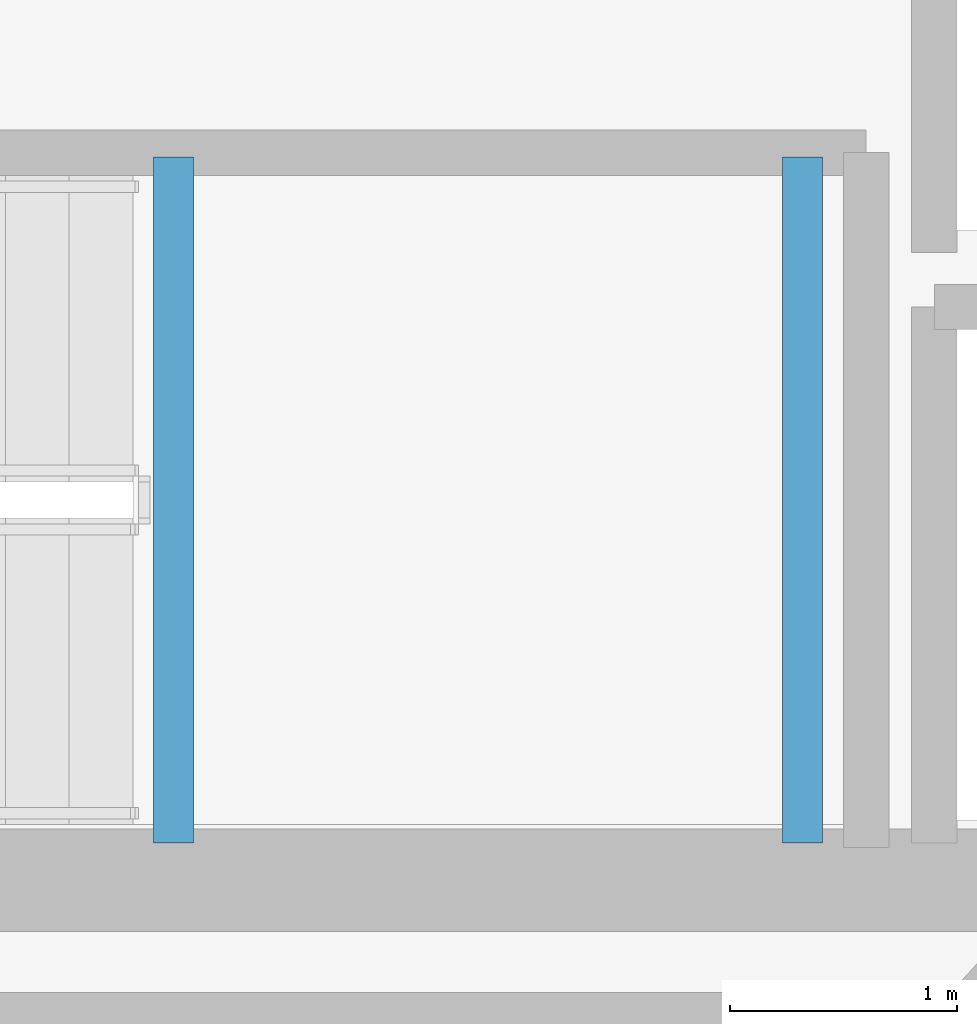
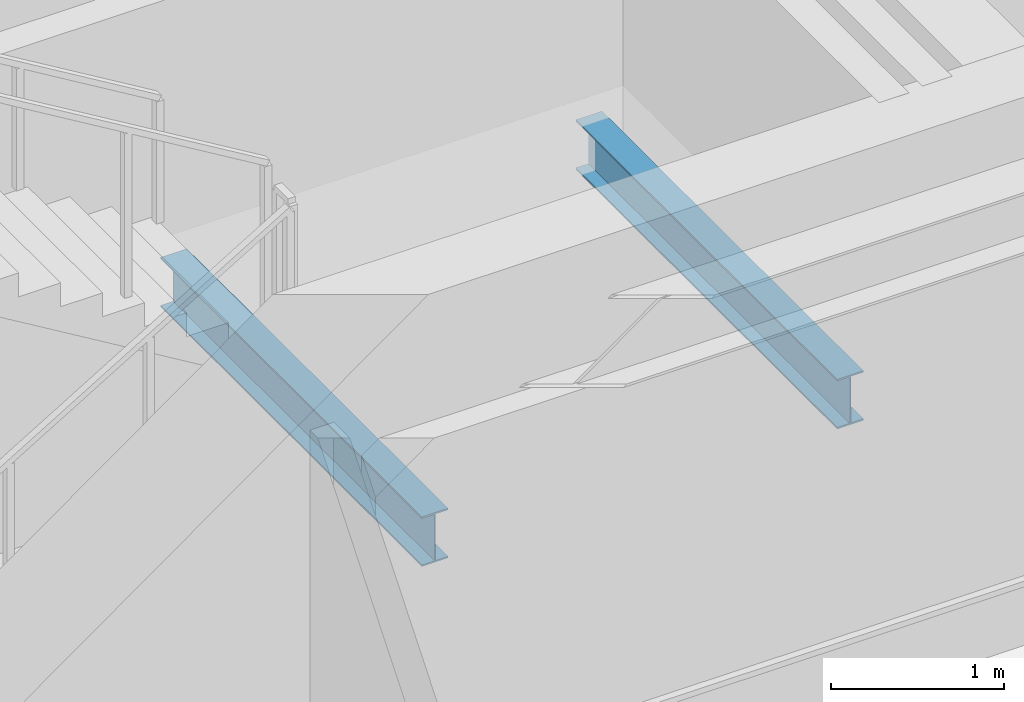
# One storey, part 13 of 25: 2 beams.
"""IFC4 building model written with IfcOpenShell, lengths in metres."""

from ifc_helpers import new_model, si_unit, direction, frame, origin, origin_2d, place, context, subcontext, project, spatial, i_section, extrude, material, material_profile, profile_set, type_object, element, save


model = new_model("IFC4")

# Units and contexts
model_context = context("Model", 3, precision=1e-05, world=origin(), true_north=direction((0.0, 1.0)))
body_context = subcontext(model_context, "Body", "Model", "MODEL_VIEW")
ifc_project = project(units=[si_unit("LENGTHUNIT", "METRE"), si_unit("AREAUNIT", "SQUARE_METRE"), si_unit("VOLUMEUNIT", "CUBIC_METRE"), si_unit("PLANEANGLEUNIT", "RADIAN"), si_unit("MASSUNIT", "GRAM", prefix="KILO")], contexts=[model_context])

# Site, building, storey
site_placement = place(None, origin())
site = spatial("IfcSite", under=ifc_project, at=site_placement, CompositionType="ELEMENT")
building_placement = place(site_placement, origin())
building = spatial("IfcBuilding", under=site, at=building_placement, Name="Qianvela Tower", CompositionType="ELEMENT")
storey_placement = place(building_placement, frame((0.0, 0.0, 288.0)))
storey = spatial("IfcBuildingStorey", under=building, at=storey_placement, Name="L74", CompositionType="ELEMENT", Elevation=288.0)

# Beams
ifc_material = material(Name="Steel Q355B", Category="steel")
ifc_material_profile = material_profile(ifc_material, i_section(OverallWidth=0.175048828125, OverallDepth=0.35009765625, WebThickness=0.007080078125, FlangeThickness=0.010986328125, at=origin_2d()), Name="HN350x175x7x11")
ifc_profile_set = profile_set([ifc_material_profile], Name="Steel Q355B")
beam_type = type_object("IfcBeamType", Name="BM-HN350-JOIST", PredefinedType="JOIST", material=ifc_profile_set)
for number, where, z_axis, x_axis, name in (
    (1, (34.39990234375, 24.919921875, 1.47509765625), (0.0, 1.0, 0.0), (-1.0, 0.0, 0.0), "L74 Stair ST-2 Landing Support Beam 1.1"),
    (2, (37.169921875, 24.919921875, 1.47509765625), (0.0, 1.0, 0.0), (-1.0, 0.0, 0.0), "L74 Stair ST-2 Landing Support Beam 1.2"),
):
    element("IfcBeam", number, at=place(storey_placement, frame(where, z_axis=z_axis, x_axis=x_axis)), inside=storey, type_object=beam_type, Name=name, PredefinedType="JOIST", context=body_context, shape_type="SweptSolid", body=[
        extrude(i_section(OverallWidth=0.175048828125, OverallDepth=0.35009765625, WebThickness=0.007080078125, FlangeThickness=0.010986328125, at=origin_2d()), origin(), (0.0, 0.0, 1.0), 3.02001953125),
    ])

save(model, "model.ifc")
